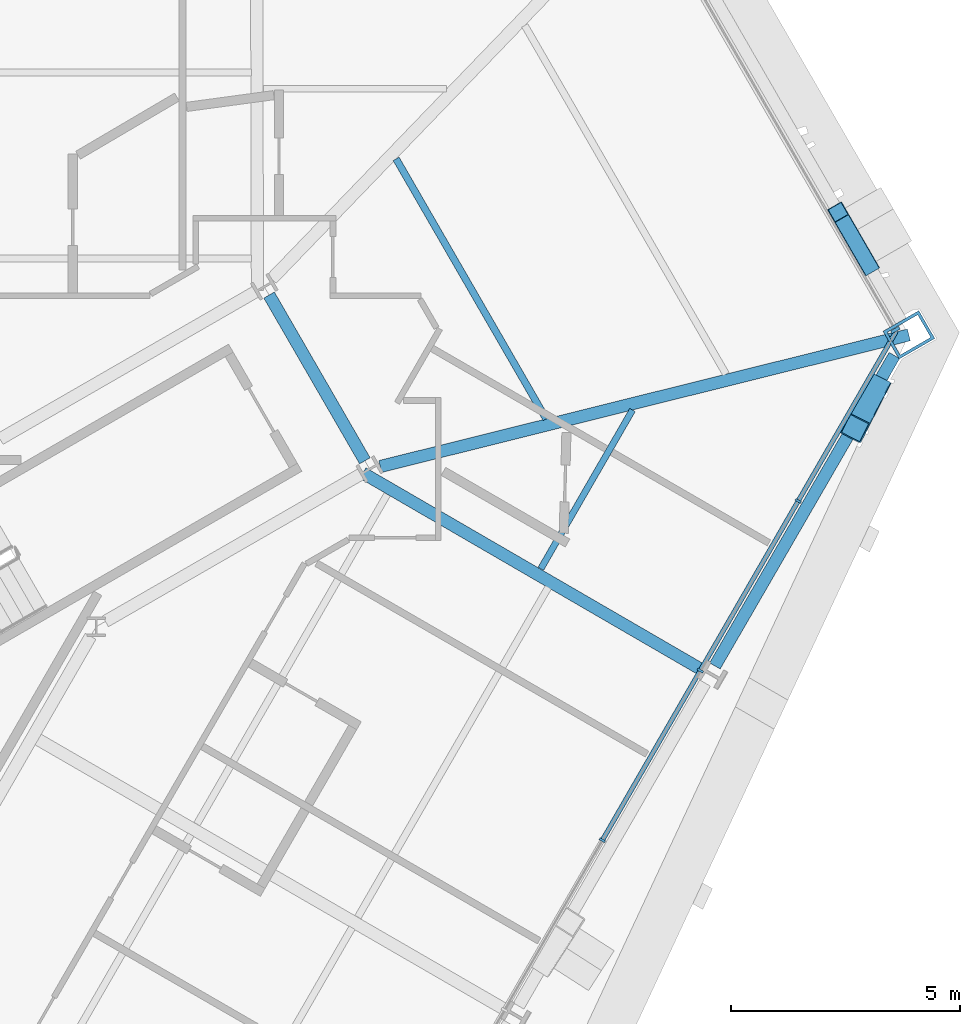
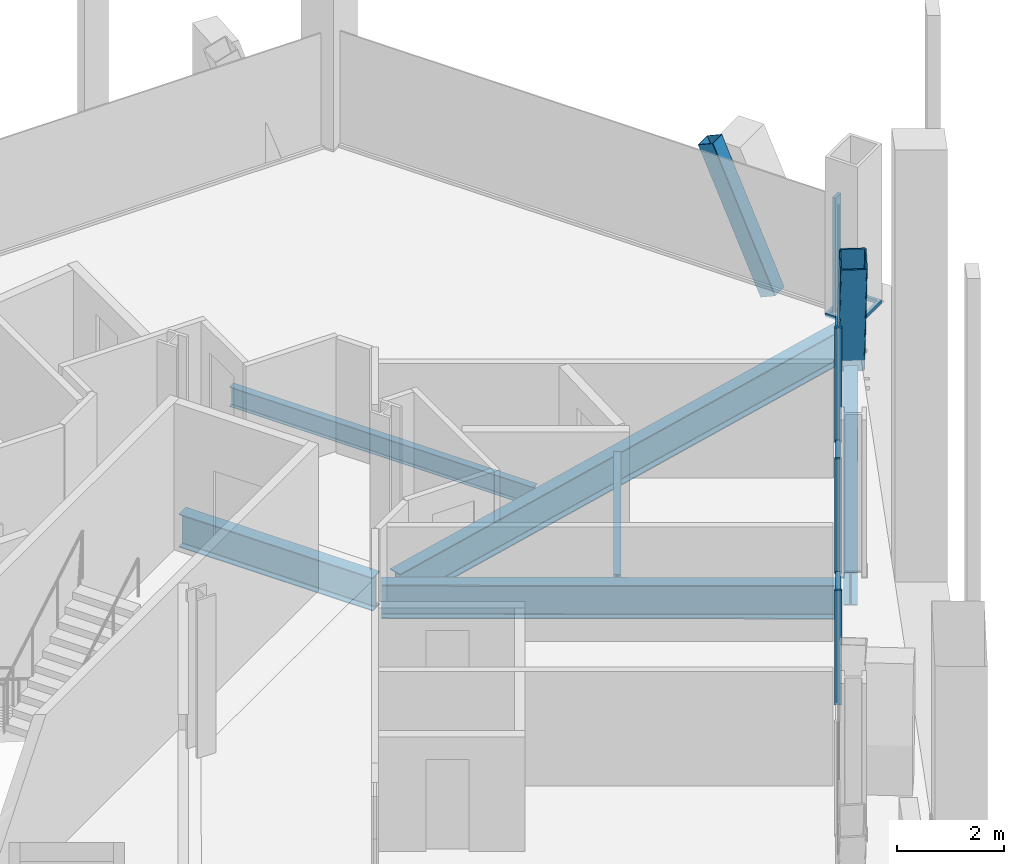
# One storey, part 10 of 21: 10 members, 6 beams, 2 elements without a shape of their own.
"""IFC4 building model written with IfcOpenShell, lengths in metres."""

from ifc_helpers import new_model, si_unit, direction, frame, origin, origin_2d, place, context, subcontext, project, spatial, rectangle, hollow_rectangle, i_section, extrude, material, material_profile, profile_set, type_object, element, aggregate, save


model = new_model("IFC4")

# Units and contexts
model_context = context("Model", 3, precision=1e-05, world=origin(), true_north=direction((0.0, 1.0)))
body_context = subcontext(model_context, "Body", "Model", "MODEL_VIEW")
ifc_project = project(units=[si_unit("LENGTHUNIT", "METRE"), si_unit("AREAUNIT", "SQUARE_METRE"), si_unit("VOLUMEUNIT", "CUBIC_METRE"), si_unit("PLANEANGLEUNIT", "RADIAN"), si_unit("MASSUNIT", "GRAM", prefix="KILO")], contexts=[model_context])

# Site, building, storey
site_placement = place(None, origin())
site = spatial("IfcSite", under=ifc_project, at=site_placement, CompositionType="ELEMENT")
building_placement = place(site_placement, origin())
building = spatial("IfcBuilding", under=site, at=building_placement, Name="Verrane Prism Tower", CompositionType="ELEMENT")
storey_placement = place(building_placement, frame((0.0, 0.0, 65.60009765625)))
storey = spatial("IfcBuildingStorey", under=building, at=storey_placement, Name="L14", CompositionType="ELEMENT", Elevation=65.60009765625)

# Member
ifc_material_1 = material(Name="Steel A500 Grade C", Category="steel")
ifc_material_profile_1 = material_profile(ifc_material_1, hollow_rectangle(XDim=0.355712890625, YDim=0.355712890625, WallThickness=0.0126953125, InnerFilletRadius=0.00634765625, OuterFilletRadius=0.01904296875, at=origin_2d()), Name="HSS14x14x1/2")
ifc_profile_set_1 = profile_set([ifc_material_profile_1], Name="Steel A500 Grade C")
member_type_1 = type_object("IfcMemberType", Name="Chamfer brace HSS14x14x1/2", PredefinedType="BRACE", material=ifc_profile_set_1)
member_1_placement = place(storey_placement, frame((30.495849609375, 13.10302734375, -0.2451171875), z_axis=(-0.204612221205, 0.35417648442, 0.91252005831), x_axis=(-0.865889515344, -0.500235291855, 0.0)))
element("IfcMember", 1, at=member_1_placement, inside=storey, type_object=member_type_1, Name="Chamfer brace NE0 L14", PredefinedType="BRACE", context=body_context, shape_type="SweptSolid", body=[
    extrude(hollow_rectangle(XDim=0.355712890625, YDim=0.355712890625, WallThickness=0.0126953125, InnerFilletRadius=0.00634765625, OuterFilletRadius=0.01904296875, at=origin_2d()), origin(), (0.0, 0.0, 1.0), 3.290771484375),
])

# Beams
ifc_material_2 = material(Name="Steel A992", Category="steel")
ifc_material_profile_2 = material_profile(ifc_material_2, i_section(OverallWidth=0.2666015625, OverallDepth=0.7568359375, WebThickness=0.013916015625, FlangeThickness=0.019287109375, FilletRadius=0.0166015625, at=origin_2d()), Name="W30x108")
ifc_profile_set_2 = profile_set([ifc_material_profile_2], Name="Steel A992")
beam_type_1 = type_object("IfcBeamType", Name="Core ring girder W30x108", PredefinedType="BEAM", material=ifc_profile_set_2)
beam_1_placement = place(storey_placement, frame((19.4951171875, 8.84130859375, -0.628662109375), z_axis=(-0.500349643494, 0.865823442888, 0.0), x_axis=(-0.865823442888, -0.500349643494, 0.0)))
element("IfcBeam", 2, at=beam_1_placement, inside=storey, type_object=beam_type_1, Name="Core ring girder L14", PredefinedType="BEAM", context=body_context, shape_type="SweptSolid", body=[
    extrude(i_section(OverallWidth=0.2666015625, OverallDepth=0.7568359375, WebThickness=0.013916015625, FlangeThickness=0.019287109375, FilletRadius=0.0166015625, at=origin_2d()), origin(), (0.0, 0.0, 1.0), 4.177734375),
])
ifc_material_3 = material(Name="Steel A992", Category="steel")
ifc_material_profile_3 = material_profile(ifc_material_3, i_section(OverallWidth=0.2666015625, OverallDepth=0.76708984375, WebThickness=0.014892578125, FlangeThickness=0.023681640625, FilletRadius=0.0166015625, at=origin_2d()), Name="W30x124")
ifc_profile_set_3 = profile_set([ifc_material_profile_3], Name="Steel A992")
beam_type_2 = type_object("IfcBeamType", Name="Corner girder W30x124", PredefinedType="BEAM", material=ifc_profile_set_3)
beam_2_placement = place(storey_placement, frame((31.3671875, 11.58935546875, -0.603515625), z_axis=(-0.970381185605, -0.24157887868, 0.0), x_axis=(0.24157887868, -0.970381185605, 0.0)))
element("IfcBeam", 3, at=beam_2_placement, inside=storey, type_object=beam_type_2, Name="Corner girder L14", PredefinedType="BEAM", context=body_context, shape_type="SweptSolid", body=[
    extrude(i_section(OverallWidth=0.2666015625, OverallDepth=0.76708984375, WebThickness=0.014892578125, FlangeThickness=0.023681640625, FilletRadius=0.0166015625, at=origin_2d()), origin(), (0.0, 0.0, 1.0), 11.8896484375),
])

# Member
ifc_material_4 = material(Name="Steel A1085 Grade A", Category="steel")
ifc_material_profile_4 = material_profile(ifc_material_4, hollow_rectangle(XDim=0.508056640625, YDim=0.508056640625, WallThickness=0.025390625, InnerFilletRadius=0.0126953125, OuterFilletRadius=0.0380859375, at=origin_2d()), Name="HSS20x20x1")
ifc_profile_set_4 = profile_set([ifc_material_profile_4], Name="Steel A1085 Grade A")
member_type_2 = type_object("IfcMemberType", Name="Facade brace HSS20x20x1", PredefinedType="BRACE", material=ifc_profile_set_4)
member_2_placement = place(storey_placement, frame((30.6494140625, 10.446044921875, -0.24267578125), z_axis=(-0.143782264206, -0.281018469249, 0.948870528808), x_axis=(0.890241261064, -0.455489294165, 0.0)))
element("IfcMember", 4, at=member_2_placement, inside=storey, type_object=member_type_2, Name="Facade brace SE5 L14", PredefinedType="BRACE", context=body_context, shape_type="SweptSolid", body=[
    extrude(hollow_rectangle(XDim=0.508056640625, YDim=0.508056640625, WallThickness=0.025390625, InnerFilletRadius=0.0126953125, OuterFilletRadius=0.0380859375, at=origin_2d()), origin(), (0.0, 0.0, 1.0), 3.170166015625),
])

# Beams
ifc_material_5 = material(Name="Steel A992", Category="steel")
ifc_material_profile_5 = material_profile(ifc_material_5, i_section(OverallWidth=0.140380859375, OverallDepth=0.40380859375, WebThickness=0.007080078125, FlangeThickness=0.01123046875, FilletRadius=0.01025390625, at=origin_2d()), Name="W16x31")
ifc_profile_set_5 = profile_set([ifc_material_profile_5], Name="Steel A992")
beam_type_3 = type_object("IfcBeamType", Name="Floor beam W16x31", PredefinedType="BEAM", material=ifc_profile_set_5)
beam_3_placement = place(storey_placement, frame((23.333984375, 6.484375, -0.362060546875), z_axis=(0.499997052475, 0.866027105532, 0.0), x_axis=(-0.866027105532, 0.499997052475, 0.0)))
element("IfcBeam", 5, at=beam_3_placement, inside=storey, type_object=beam_type_3, Name="Floor beam L14", PredefinedType="BEAM", context=body_context, shape_type="SweptSolid", body=[
    extrude(i_section(OverallWidth=0.140380859375, OverallDepth=0.40380859375, WebThickness=0.007080078125, FlangeThickness=0.01123046875, FilletRadius=0.01025390625, at=origin_2d()), origin(), (0.0, 0.0, 1.0), 4.001953125),
])
ifc_material_6 = material(Name="Steel A992", Category="steel")
ifc_material_profile_6 = material_profile(ifc_material_6, i_section(OverallWidth=0.15234375, OverallDepth=0.449462890625, WebThickness=0.007568359375, FlangeThickness=0.0107421875, FilletRadius=0.01025390625, at=origin_2d()), Name="W18x35")
ifc_profile_set_6 = profile_set([ifc_material_profile_6], Name="Steel A992")
beam_type_4 = type_object("IfcBeamType", Name="Floor beam W18x35", PredefinedType="BEAM", material=ifc_profile_set_6)
beam_4_placement = place(storey_placement, frame((23.45263671875, 9.756591796875, -0.385009765625), z_axis=(-0.499982664585, 0.86603541216, 0.0), x_axis=(-0.86603541216, -0.499982664585, 0.0)))
element("IfcBeam", 6, at=beam_4_placement, inside=storey, type_object=beam_type_4, Name="Floor beam L14", PredefinedType="BEAM", context=body_context, shape_type="SweptSolid", body=[
    extrude(i_section(OverallWidth=0.15234375, OverallDepth=0.449462890625, WebThickness=0.007568359375, FlangeThickness=0.0107421875, FilletRadius=0.01025390625, at=origin_2d()), origin(), (0.0, 0.0, 1.0), 6.551513671875),
])

# Member
ifc_material_7 = material(Name="Steel A572 Grade 50", Category="steel")
ifc_material_profile_7 = material_profile(ifc_material_7, hollow_rectangle(XDim=0.699951171875, YDim=0.89990234375, WallThickness=0.06494140625, at=origin_2d()), Name="BOX 900x700x65")
ifc_profile_set_7 = profile_set([ifc_material_profile_7], Name="Steel A572 Grade 50")
member_type_3 = type_object("IfcMemberType", Name="Kink node BOX 900x700x65", PredefinedType="COLLAR", material=ifc_profile_set_7)
member_3_placement = place(storey_placement, frame((31.3681640625, 11.590087890625, -0.0400390625), z_axis=(0.0, 0.0, 1.0), x_axis=(0.5, -0.866025403784, 0.0)))
element("IfcMember", 7, at=member_3_placement, inside=storey, type_object=member_type_3, Name="Kink node MC3 L14", PredefinedType="COLLAR", context=body_context, shape_type="SweptSolid", body=[
    extrude(hollow_rectangle(XDim=0.699951171875, YDim=0.89990234375, WallThickness=0.06494140625, at=origin_2d()), origin(), (0.0, 0.0, 1.0), 0.079833984375),
])

# Curtain wall, members
ifc_material_8 = material(Name="Aluminium framed insulated glazing", Category="aluminium")
curtain_wall_type_1 = type_object("IfcCurtainWallType", Name="Curtain wall CW-C 4200 module", PredefinedType="NOTDEFINED", material=ifc_material_8)
curtain_wall_1_placement = place(storey_placement, origin())
curtain_wall_1 = element("IfcCurtainWall", 8, at=curtain_wall_1_placement, inside=storey, type_object=curtain_wall_type_1, Name="Glazed curtain wall south-east face L14", PredefinedType="NOTDEFINED")
ifc_material_9 = material(Name="Aluminium alloy 6063-T6", Category="aluminium")
ifc_material_profile_8 = material_profile(ifc_material_9, rectangle(XDim=0.139892578125, YDim=0.050048828125, at=origin_2d()), Name="Mullion 50x140 aluminium")
ifc_profile_set_8 = profile_set([ifc_material_profile_8], Name="Aluminium alloy 6063-T6")
member_type_4 = type_object("IfcMemberType", Name="Mullion 50x140 aluminium", PredefinedType="MULLION", material=ifc_profile_set_8)
member_4_placement = place(storey_placement, frame((24.677490234375, 0.560791015625, 0.0), z_axis=(0.0, 0.0, 1.0), x_axis=(-0.866025283147, 0.50000020895, 0.0)))
member_4 = element("IfcMember", 9, at=member_4_placement, type_object=member_type_4, Name="CW14.6 mullion 10", PredefinedType="MULLION", context=body_context, shape_type="SweptSolid", body=[
    extrude(rectangle(XDim=0.139892578125, YDim=0.050048828125, at=origin_2d()), origin(), (0.0, 0.0, 1.0), 2.61279296875),
])
member_5_placement = place(storey_placement, frame((26.81494140625, 4.262939453125, 0.0), z_axis=(0.0, 0.0, 1.0), x_axis=(-0.866025283147, 0.50000020895, 0.0)))
member_5 = element("IfcMember", 10, at=member_5_placement, type_object=member_type_4, Name="CW14.6 mullion 11", PredefinedType="MULLION", context=body_context, shape_type="SweptSolid", body=[
    extrude(rectangle(XDim=0.139892578125, YDim=0.050048828125, at=origin_2d()), origin(), (0.0, 0.0, 1.0), 2.61279296875),
])
member_6_placement = place(storey_placement, frame((28.952392578125, 7.96484375, 0.0), z_axis=(0.0, 0.0, 1.0), x_axis=(-0.866025283147, 0.50000020895, 0.0)))
member_6 = element("IfcMember", 11, at=member_6_placement, type_object=member_type_4, Name="CW14.6 mullion 12", PredefinedType="MULLION", context=body_context, shape_type="SweptSolid", body=[
    extrude(rectangle(XDim=0.139892578125, YDim=0.050048828125, at=origin_2d()), origin(), (0.0, 0.0, 1.0), 2.61279296875),
])

# Curtain wall, member
ifc_material_10 = material(Name="Aluminium framed insulated glazing", Category="aluminium")
curtain_wall_type_2 = type_object("IfcCurtainWallType", Name="Curtain wall CW-A 8400 module", PredefinedType="NOTDEFINED", material=ifc_material_10)
curtain_wall_2_placement = place(storey_placement, origin())
curtain_wall_2 = element("IfcCurtainWall", 12, at=curtain_wall_2_placement, inside=storey, type_object=curtain_wall_type_2, Name="Glazed curtain wall north-east corner L14", PredefinedType="NOTDEFINED")
ifc_material_11 = material(Name="Aluminium alloy 6063-T6", Category="aluminium")
ifc_material_profile_9 = material_profile(ifc_material_11, rectangle(XDim=0.199951171875, YDim=0.070068359375, at=origin_2d()), Name="Mullion 70x200 aluminium")
ifc_profile_set_9 = profile_set([ifc_material_profile_9], Name="Aluminium alloy 6063-T6")
member_type_5 = type_object("IfcMemberType", Name="Mullion 70x200 aluminium", PredefinedType="MULLION", material=ifc_profile_set_9)
member_7_placement = place(storey_placement, frame((31.072265625, 11.697265625, 0.0), z_axis=(0.0, 0.0, 1.0), x_axis=(-0.866027351077, -0.499996627176, 0.0)))
member_7 = element("IfcMember", 13, at=member_7_placement, type_object=member_type_5, Name="CW14.1 mullion 1", PredefinedType="MULLION", context=body_context, shape_type="SweptSolid", body=[
    extrude(rectangle(XDim=0.199951171875, YDim=0.070068359375, at=origin_2d()), origin(), (0.0, 0.0, 1.0), 2.61279296875),
])
aggregate(curtain_wall_2, [member_7])

# Beams
ifc_material_12 = material(Name="Steel A992", Category="steel")
ifc_material_profile_10 = material_profile(ifc_material_12, i_section(OverallWidth=0.2666015625, OverallDepth=0.76708984375, WebThickness=0.014892578125, FlangeThickness=0.023681640625, FilletRadius=0.0166015625, at=origin_2d()), Name="W30x124")
ifc_profile_set_10 = profile_set([ifc_material_profile_10], Name="Steel A992")
beam_type_5 = type_object("IfcBeamType", Name="Radial girder W30x124", PredefinedType="BEAM", material=ifc_profile_set_10)
beam_5_placement = place(storey_placement, frame((26.810546875, 4.303466796875, -0.603515625), z_axis=(-0.864893428498, 0.50195553323, 0.0), x_axis=(-0.50195553323, -0.864893428498, 0.0)))
element("IfcBeam", 14, at=beam_5_placement, inside=storey, type_object=beam_type_5, Name="Radial girder L14", PredefinedType="BEAM", context=body_context, shape_type="SweptSolid", body=[
    extrude(i_section(OverallWidth=0.2666015625, OverallDepth=0.76708984375, WebThickness=0.014892578125, FlangeThickness=0.023681640625, FilletRadius=0.0166015625, at=origin_2d()), origin(), (0.0, 0.0, 1.0), 8.5087890625),
])
ifc_material_13 = material(Name="Steel A992", Category="steel")
ifc_material_profile_11 = material_profile(ifc_material_13, i_section(OverallWidth=0.2666015625, OverallDepth=0.7568359375, WebThickness=0.013916015625, FlangeThickness=0.019287109375, FilletRadius=0.0166015625, at=origin_2d()), Name="W30x108")
ifc_profile_set_11 = profile_set([ifc_material_profile_11], Name="Steel A992")
beam_type_6 = type_object("IfcBeamType", Name="Spandrel beam W30x108", PredefinedType="SPANDREL", material=ifc_profile_set_11)
beam_6_placement = place(storey_placement, frame((27.1337890625, 4.365478515625, -0.53857421875), z_axis=(0.5005270619, 0.865720890533, 0.0), x_axis=(-0.865720890533, 0.5005270619, 0.0)))
element("IfcBeam", 15, at=beam_6_placement, inside=storey, type_object=beam_type_6, Name="Spandrel beam L14", PredefinedType="SPANDREL", context=body_context, shape_type="SweptSolid", body=[
    extrude(i_section(OverallWidth=0.2666015625, OverallDepth=0.7568359375, WebThickness=0.013916015625, FlangeThickness=0.019287109375, FilletRadius=0.0166015625, at=origin_2d()), origin(), (0.0, 0.0, 1.0), 7.82568359375),
])

# Member
ifc_material_14 = material(Name="Aluminium alloy 6063-T6", Category="aluminium")
ifc_material_profile_12 = material_profile(ifc_material_14, rectangle(XDim=0.10009765625, YDim=0.050048828125, at=origin_2d()), Name="Transom 50x100 aluminium")
ifc_profile_set_12 = profile_set([ifc_material_profile_12], Name="Aluminium alloy 6063-T6")
member_type_6 = type_object("IfcMemberType", Name="Transom 50x100 aluminium", PredefinedType="USERDEFINED", material=ifc_profile_set_12)
member_8_placement = place(storey_placement, frame((24.68994140625, 0.58251953125, 0.02490234375), z_axis=(0.500035923186, 0.86600466253, 0.0), x_axis=(-0.86600466253, 0.500035923186, 0.0)))
member_8 = element("IfcMember", 16, at=member_8_placement, type_object=member_type_6, Name="CW14.6 transom 10", ObjectType="TRANSOM", PredefinedType="USERDEFINED", context=body_context, shape_type="SweptSolid", body=[
    extrude(rectangle(XDim=0.10009765625, YDim=0.050048828125, at=origin_2d()), origin(), (0.0, 0.0, 1.0), 4.224853515625),
])

member_9_placement = place(storey_placement, frame((26.827392578125, 4.284423828125, 0.02490234375), z_axis=(0.499967560512, 0.866044131922, 0.0), x_axis=(-0.866044131922, 0.499967560512, 0.0)))
member_9 = element("IfcMember", 17, at=member_9_placement, type_object=member_type_6, Name="CW14.6 transom 11", ObjectType="TRANSOM", PredefinedType="USERDEFINED", context=body_context, shape_type="SweptSolid", body=[
    extrude(rectangle(XDim=0.10009765625, YDim=0.050048828125, at=origin_2d()), origin(), (0.0, 0.0, 1.0), 4.224853515625),
])

member_10_placement = place(storey_placement, frame((28.96484375, 7.986572265625, 0.02490234375), z_axis=(0.499976073514, 0.866039217307, 0.0), x_axis=(-0.866039217307, 0.499976073514, 0.0)))
member_10 = element("IfcMember", 18, at=member_10_placement, type_object=member_type_6, Name="CW14.6 transom 12", ObjectType="TRANSOM", PredefinedType="USERDEFINED", context=body_context, shape_type="SweptSolid", body=[
    extrude(rectangle(XDim=0.10009765625, YDim=0.050048828125, at=origin_2d()), origin(), (0.0, 0.0, 1.0), 4.249755859375),
])

aggregate(curtain_wall_1, [member_4, member_5, member_6, member_8, member_9, member_10])

save(model, "model.ifc")
